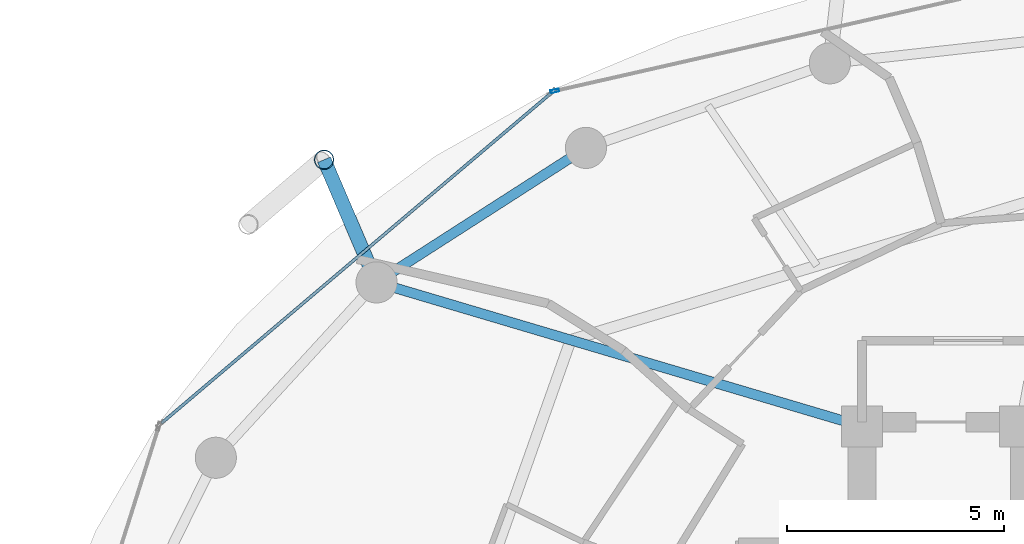
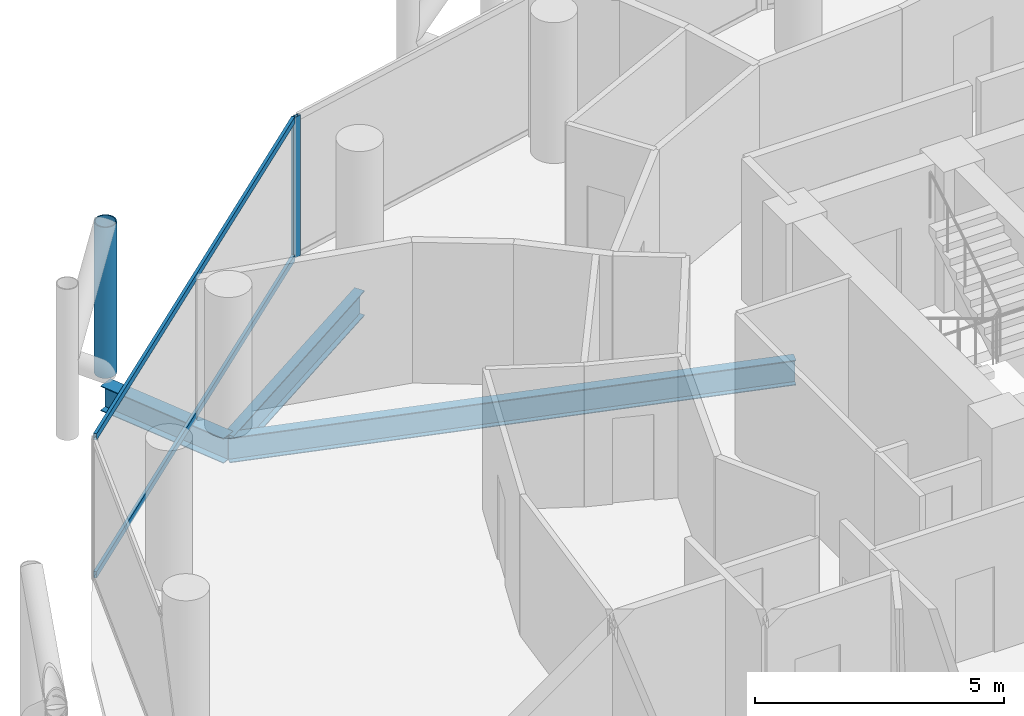
# One storey, part 14 of 26: 4 members, 3 beams, 2 elements without a shape of their own.
"""IFC4 building model written with IfcOpenShell, lengths in metres."""

import ifcopenshell
import ifcopenshell.guid

model = None  # the IFC model being written
_history = None  # IfcOwnerHistory: only IFC2X3 demands one
_inside = {}  # id of a spatial element -> (the spatial element, [elements in it])
_under = {}  # id of a project, library or spatial element -> (it, [spatial elements below it])
_declared = {}  # id of a project -> (the project, [libraries it declares])
_typed = {}  # id of a type object -> (the type object, [elements of that type])
_made_of = {}  # id of a material, layer set ... -> (it, [elements and type objects made of it])


def new_model(schema):
    """Start an empty IFC model of exactly this schema.

    Asked for "IFC4X3", IfcOpenShell would pick the latest addendum, in which some entities
    have other attributes; the version numbers below select the first issue.
    IFC2X3 requires an IfcOwnerHistory on every rooted entity: one is made here for all.
    """
    global model, _history
    if schema == "IFC4X3":
        model = ifcopenshell.file(schema_version=(4, 3, 0, 0))
    else:
        model = ifcopenshell.file(schema=schema)
    _inside.clear()
    _under.clear()
    _declared.clear()
    _typed.clear()
    _made_of.clear()
    _history = None
    if model.schema == "IFC2X3":
        org = make("IfcOrganization", Name="unknown")
        user = make(
            "IfcPersonAndOrganization",
            ThePerson=make("IfcPerson", FamilyName="unknown"),
            TheOrganization=org,
        )
        app = make(
            "IfcApplication",
            ApplicationDeveloper=org,
            Version="unknown",
            ApplicationFullName="unknown",
            ApplicationIdentifier="unknown",
        )
        _history = make(
            "IfcOwnerHistory",
            OwningUser=user,
            OwningApplication=app,
            ChangeAction="ADDED",
            CreationDate=0,
        )
    return model


def make(cls, **values):
    """One entity of the class cls with the attributes given. An attribute that is None is left unset."""
    return model.create_entity(
        cls, **{name: value for name, value in values.items() if value is not None}
    )


def rooted(cls, **values):
    """An entity with a GlobalId (a new one), such as an element, a storey or a relation."""
    return make(cls, GlobalId=ifcopenshell.guid.new(), OwnerHistory=_history, **values)


def si_unit(unit_type, name, prefix=None):
    """IfcSIUnit, for example si_unit("LENGTHUNIT", "METRE", prefix="MILLI")."""
    return make("IfcSIUnit", UnitType=unit_type, Prefix=prefix, Name=name)


def assignment(units):
    """IfcUnitAssignment: the units of a project."""
    return None if units is None else make("IfcUnitAssignment", Units=units)


def point(xyz):
    """IfcCartesianPoint."""
    return None if xyz is None else make("IfcCartesianPoint", Coordinates=xyz)


def direction(xyz):
    """IfcDirection."""
    return None if xyz is None else make("IfcDirection", DirectionRatios=xyz)


def frame(location, z_axis=None, x_axis=None):
    """IfcAxis2Placement3D, a coordinate frame: its origin and axes. An axis left out is left unset."""
    return make(
        "IfcAxis2Placement3D",
        Location=point(location),
        Axis=direction(z_axis),
        RefDirection=direction(x_axis),
    )


def frame_2d(location, x_axis=None):
    """IfcAxis2Placement2D, a coordinate frame in the plane: its origin and x axis."""
    return make(
        "IfcAxis2Placement2D", Location=point(location), RefDirection=direction(x_axis)
    )


def origin():
    """The frame at (0, 0, 0) with its axes left unset."""
    return frame((0.0, 0.0, 0.0))


def origin_2d():
    """The frame at (0, 0) in the plane with its x axis left unset."""
    return frame_2d((0.0, 0.0))


def place(relative_to, where):
    """IfcLocalPlacement: puts the frame where relative to a parent placement (None: the world)."""
    return make(
        "IfcLocalPlacement", PlacementRelTo=relative_to, RelativePlacement=where
    )


def context(
    kind, dimensions, precision=None, world=None, true_north=None, identifier=None
):
    """IfcGeometricRepresentationContext, for example the 3D "Model" context."""
    return make(
        "IfcGeometricRepresentationContext",
        ContextIdentifier=identifier,
        ContextType=kind,
        CoordinateSpaceDimension=dimensions,
        Precision=precision,
        WorldCoordinateSystem=world,
        TrueNorth=true_north,
    )


def subcontext(parent, identifier, kind, view, scale=None):
    """IfcGeometricRepresentationSubContext, for example "Body" below "Model"."""
    return make(
        "IfcGeometricRepresentationSubContext",
        ContextIdentifier=identifier,
        ContextType=kind,
        ParentContext=parent,
        TargetScale=scale,
        TargetView=view,
    )


def project(units=None, contexts=None):
    """IfcProject with its units and contexts."""
    return rooted(
        "IfcProject",
        Name="project",
        RepresentationContexts=contexts,
        UnitsInContext=assignment(units),
    )


def spatial(cls, under=None, at=None, **own):
    """A site, building, storey or space (cls), placed at a placement, below another one or the project."""
    s = rooted(cls, ObjectPlacement=at, **own)
    if under is not None:
        _under.setdefault(under.id(), (under, []))[1].append(s)
    return s


def profile(cls, at=None, kind="AREA", **sizes):
    """A parametric profile (cls). Its sizes go by their IFC names, for example OverallWidth=200.0."""
    return make(cls, ProfileType=kind, Position=at, **sizes)


def hollow_rectangle(**sizes):
    """IfcRectangleHollowProfileDef."""
    return profile("IfcRectangleHollowProfileDef", **sizes)


def hollow_circle(**sizes):
    """IfcCircleHollowProfileDef."""
    return profile("IfcCircleHollowProfileDef", **sizes)


def i_section(**sizes):
    """IfcIShapeProfileDef."""
    return profile("IfcIShapeProfileDef", **sizes)


def extrude(swept, where, along, depth):
    """IfcExtrudedAreaSolid: the profile swept, set in the frame where, extruded along a direction by depth."""
    return make(
        "IfcExtrudedAreaSolid",
        SweptArea=swept,
        Position=where,
        ExtrudedDirection=direction(along),
        Depth=depth,
    )


def shape(context_of_items, identifier, shape_type, items):
    """IfcShapeRepresentation: the items that make up one representation, for example the "Body"."""
    return make(
        "IfcShapeRepresentation",
        ContextOfItems=context_of_items,
        RepresentationIdentifier=identifier,
        RepresentationType=shape_type,
        Items=items,
    )


def material(Name=None, Category=None):
    """IfcMaterial."""
    return make("IfcMaterial", Name=Name, Category=Category)


def layer(
    of_material, thickness, ventilated=None, Name=None, Category=None, Priority=None
):
    """IfcMaterialLayer: one layer of a wall or slab, of a material (None: an air gap)."""
    return make(
        "IfcMaterialLayer",
        Material=of_material,
        LayerThickness=thickness,
        IsVentilated=ventilated,
        Name=Name,
        Category=Category,
        Priority=Priority,
    )


def layer_set(layers, Name=None):
    """IfcMaterialLayerSet."""
    return make("IfcMaterialLayerSet", MaterialLayers=layers, LayerSetName=Name)


def material_profile(
    of_material, cross_section, Name=None, Category=None, Priority=None
):
    """IfcMaterialProfile: a cross section and its material."""
    return make(
        "IfcMaterialProfile",
        Name=Name,
        Material=of_material,
        Profile=cross_section,
        Priority=Priority,
        Category=Category,
    )


def profile_set(profiles, Name=None, composite=None):
    """IfcMaterialProfileSet."""
    return make(
        "IfcMaterialProfileSet",
        Name=Name,
        MaterialProfiles=profiles,
        CompositeProfile=composite,
    )


def made_of(thing, what):
    """Note that an element or type object is made of a material, layer set ...; save() writes the relation."""
    if what is not None:
        _made_of.setdefault(what.id(), (what, []))[1].append(thing)
    return thing


def type_object(cls, material=None, **own):
    """A type object (cls), such as IfcWallType, which elements share."""
    return made_of(rooted(cls, **own), material)


def element(
    cls,
    number,
    at=None,
    inside=None,
    cuts=None,
    type_object=None,
    material=None,
    context=None,
    identifier="Body",
    shape_type=None,
    held_by="IfcProductDefinitionShape",
    body=None,
    shapes=None,
    **own,
):
    """One element of the class cls, such as IfcWall. Its Tag is "e" and its number.

    at: its placement. inside: the storey or other place that contains it. cuts: it is an
    opening in that element (IfcRelVoidsElement). A single representation is given by context,
    identifier, shape_type and body (its items); several are given by shapes. held_by: the class
    of the entity that holds the representations. save() writes the other relations.
    """
    e = rooted(cls, Tag="e%d" % number, ObjectPlacement=at, **own)
    if body is not None:
        shapes = [shape(context, identifier, shape_type, body)]
    if shapes is not None:
        e.Representation = make(held_by, Representations=shapes)
    if inside is not None:
        _inside.setdefault(inside.id(), (inside, []))[1].append(e)
    if cuts is not None:
        rooted(
            "IfcRelVoidsElement", RelatingBuildingElement=cuts, RelatedOpeningElement=e
        )
    if type_object is not None:
        _typed.setdefault(type_object.id(), (type_object, []))[1].append(e)
    return made_of(e, material)


def aggregate(whole, parts):
    """IfcRelAggregates: a whole, such as a stair, and the parts it consists of."""
    return rooted("IfcRelAggregates", RelatingObject=whole, RelatedObjects=parts)


def save(model, path):
    """Write the relations noted so far, then the file.

    IfcRelAggregates (storeys below a building ...), IfcRelContainedInSpatialStructure (elements
    in a storey), IfcRelDefinesByType, IfcRelAssociatesMaterial and IfcRelDeclares: one each for
    every whole, place, type object, material and project.
    """
    for whole, parts in _under.values():
        aggregate(whole, parts)
    for where, things in _inside.values():
        rooted(
            "IfcRelContainedInSpatialStructure",
            RelatedElements=things,
            RelatingStructure=where,
        )
    for kind, things in _typed.values():
        rooted("IfcRelDefinesByType", RelatedObjects=things, RelatingType=kind)
    for what, things in _made_of.values():
        rooted("IfcRelAssociatesMaterial", RelatedObjects=things, RelatingMaterial=what)
    for by, libraries in _declared.values():
        rooted("IfcRelDeclares", RelatingContext=by, RelatedDefinitions=libraries)
    model.write(path)


model = new_model("IFC4")

# Units and contexts
model_context = context("Model", 3, precision=1e-05, world=origin(), true_north=direction((0.0, 1.0)))
body_context = subcontext(model_context, "Body", "Model", "MODEL_VIEW")
ifc_project = project(units=[si_unit("LENGTHUNIT", "METRE"), si_unit("AREAUNIT", "SQUARE_METRE"), si_unit("VOLUMEUNIT", "CUBIC_METRE"), si_unit("PLANEANGLEUNIT", "RADIAN"), si_unit("MASSUNIT", "GRAM", prefix="KILO")], contexts=[model_context])

# Site, building, storey
site_placement = place(None, origin())
site = spatial("IfcSite", under=ifc_project, at=site_placement, CompositionType="ELEMENT")
building_placement = place(site_placement, origin())
building = spatial("IfcBuilding", under=site, at=building_placement, Name="Nuhasar Tower", CompositionType="ELEMENT")
storey_placement = place(building_placement, frame((0.0, 0.0, 125.64990234375)))
storey = spatial("IfcBuildingStorey", under=building, at=storey_placement, Name="L29", CompositionType="ELEMENT", Elevation=125.64990234375)

# Beams
ifc_material_1 = material(Name="Steel S355", Category="steel")
ifc_material_profile_1 = material_profile(ifc_material_1, i_section(OverallWidth=0.22900390625, OverallDepth=0.612060546875, WebThickness=0.011962890625, FlangeThickness=0.01953125, at=origin_2d()), Name="W24X84")
ifc_profile_set_1 = profile_set([ifc_material_profile_1], Name="Steel S355")
beam_type_1 = type_object("IfcBeamType", Name="BM-RAD-W24X84", PredefinedType="BEAM", material=ifc_profile_set_1)
beam_1_placement = place(storey_placement, frame((33.699951171875, 37.300048828125, -0.555908203125), z_axis=(-0.958746492721, 0.284262489076, 0.0), x_axis=(-0.284262489076, -0.958746492721, 0.0)))
element("IfcBeam", 1, at=beam_1_placement, inside=storey, type_object=beam_type_1, Name="L29 Radial Floor Girder 07", PredefinedType="BEAM", context=body_context, shape_type="SweptSolid", body=[
    extrude(i_section(OverallWidth=0.22900390625, OverallDepth=0.612060546875, WebThickness=0.011962890625, FlangeThickness=0.01953125, at=origin_2d()), origin(), (0.0, 0.0, 1.0), 11.693359375),
])
ifc_material_profile_2 = material_profile(ifc_material_1, i_section(OverallWidth=0.22998046875, OverallDepth=0.616943359375, WebThickness=0.01318359375, FlangeThickness=0.022216796875, at=origin_2d()), Name="W24X94")
ifc_profile_set_2 = profile_set([ifc_material_profile_2], Name="Steel S355")
beam_type_2 = type_object("IfcBeamType", Name="BM-RING-W24X94", PredefinedType="SPANDREL", material=ifc_profile_set_2)
beam_2_placement = place(storey_placement, frame((27.324951171875, 43.73095703125, -0.557861328125), z_axis=(-0.841327486207, -0.540525726448, 0.0), x_axis=(0.540525726448, -0.841327486207, 0.0)))
element("IfcBeam", 2, at=beam_2_placement, inside=storey, type_object=beam_type_2, Name="L29 Perimeter Ring Spandrel 09", PredefinedType="SPANDREL", context=body_context, shape_type="SweptSolid", body=[
    extrude(i_section(OverallWidth=0.22998046875, OverallDepth=0.616943359375, WebThickness=0.01318359375, FlangeThickness=0.022216796875, at=origin_2d()), origin(), (0.0, 0.0, 1.0), 5.748046875),
])
ifc_material_profile_3 = material_profile(ifc_material_1, i_section(OverallWidth=0.323974609375, OverallDepth=0.611083984375, WebThickness=0.0126953125, FlangeThickness=0.01904296875, at=origin_2d()), Name="W24X104")
ifc_profile_set_3 = profile_set([ifc_material_profile_3], Name="Steel S355")
beam_type_3 = type_object("IfcBeamType", Name="BM-TIE-W24X104", PredefinedType="BEAM", material=ifc_profile_set_3)
beam_3_placement = place(storey_placement, frame((22.489013671875, 40.6240234375, -0.554931640625), z_axis=(-0.39330721304, 0.919407111225, 0.0), x_axis=(-0.919407111225, -0.39330721304, 0.0)))
element("IfcBeam", 3, at=beam_3_placement, inside=storey, type_object=beam_type_3, Name="L29 Exoskeleton Node Tie Beam 05", PredefinedType="BEAM", context=body_context, shape_type="SweptSolid", body=[
    extrude(i_section(OverallWidth=0.323974609375, OverallDepth=0.611083984375, WebThickness=0.0126953125, FlangeThickness=0.01904296875, at=origin_2d()), origin(), (0.0, 0.0, 1.0), 3.081298828125),
])

# Curtain wall, member
ifc_material_2 = material(Name="Aluminium 6063-T6", Category="aluminium")
ifc_layer = layer(ifc_material_2, 0.199951171875)
ifc_layer_set = layer_set([ifc_layer], Name="Aluminium 6063-T6")
curtain_wall_type = type_object("IfcCurtainWallType", Name="CW-Z2-HTL", PredefinedType="NOTDEFINED", material=ifc_layer_set)
curtain_wall_1_placement = place(storey_placement, origin())
curtain_wall_1 = element("IfcCurtainWall", 4, at=curtain_wall_1_placement, inside=storey, type_object=curtain_wall_type, Name="L29 Unitised Curtain Wall 04", PredefinedType="NOTDEFINED")
ifc_material_profile_4 = material_profile(ifc_material_2, hollow_rectangle(XDim=0.070068359375, YDim=0.199951171875, WallThickness=0.0048828125, at=origin_2d()), Name="CWM-3")
ifc_profile_set_4 = profile_set([ifc_material_profile_4], Name="Aluminium 6063-T6")
member_type_1 = type_object("IfcMemberType", Name="CW-MUL-S3", PredefinedType="MULLION", material=ifc_profile_set_4)
member_1_placement = place(storey_placement, frame((26.604248046875, 45.045654296875, 0.0), z_axis=(0.0, 0.0, 1.0), x_axis=(0.22139729566, -0.975183694221, 0.0)))
member_1 = element("IfcMember", 5, at=member_1_placement, type_object=member_type_1, Name="CW-Z2 mullion 2", PredefinedType="MULLION", context=body_context, shape_type="SweptSolid", body=[
    extrude(hollow_rectangle(XDim=0.070068359375, YDim=0.199951171875, WallThickness=0.0048828125, at=origin_2d()), origin(), (0.0, 0.0, 1.0), 3.4501953125),
])
aggregate(curtain_wall_1, [member_1])

# Curtain wall, members
curtain_wall_2_placement = place(storey_placement, origin())
curtain_wall_2 = element("IfcCurtainWall", 6, at=curtain_wall_2_placement, inside=storey, type_object=curtain_wall_type, Name="L29 Unitised Curtain Wall 05", PredefinedType="NOTDEFINED")
ifc_material_profile_5 = material_profile(ifc_material_2, hollow_rectangle(XDim=0.070068359375, YDim=0.159912109375, WallThickness=0.00439453125, at=origin_2d()), Name="CWT-3")
ifc_profile_set_5 = profile_set([ifc_material_profile_5], Name="Aluminium 6063-T6")
member_type_2 = type_object("IfcMemberType", Name="CW-TRN-S3", PredefinedType="USERDEFINED", material=ifc_profile_set_5)
member_2_placement = place(storey_placement, frame((26.5166015625, 44.99267578125, 0.03515625), z_axis=(-0.763023915269, -0.646370253592, 0.0), x_axis=(0.646370253592, -0.763023915269, 0.0)))
member_2 = element("IfcMember", 7, at=member_2_placement, type_object=member_type_2, Name="CW-Z2 transom 1.1", ObjectType="TRANSOM", PredefinedType="USERDEFINED", context=body_context, shape_type="SweptSolid", body=[
    extrude(hollow_rectangle(XDim=0.070068359375, YDim=0.159912109375, WallThickness=0.00439453125, at=origin_2d()), origin(), (0.0, 0.0, 1.0), 11.784912109375),
])
member_3_placement = place(storey_placement, frame((26.5166015625, 44.99267578125, 3.4150390625), z_axis=(-0.763023915269, -0.646370253592, 0.0), x_axis=(0.646370253592, -0.763023915269, 0.0)))
member_3 = element("IfcMember", 8, at=member_3_placement, type_object=member_type_2, Name="CW-Z2 transom 1.2", ObjectType="TRANSOM", PredefinedType="USERDEFINED", context=body_context, shape_type="SweptSolid", body=[
    extrude(hollow_rectangle(XDim=0.070068359375, YDim=0.159912109375, WallThickness=0.00439453125, at=origin_2d()), origin(), (0.0, 0.0, 1.0), 11.784912109375),
])
aggregate(curtain_wall_2, [member_2, member_3])

# Member
ifc_material_3 = material(Name="Steel S460", Category="steel")
ifc_material_profile_6 = material_profile(ifc_material_3, hollow_circle(Radius=0.228515625, WallThickness=0.022216796875, at=origin_2d()), Name="HSS457X22.2")
ifc_profile_set_6 = profile_set([ifc_material_profile_6], Name="Steel S460")
member_type_3 = type_object("IfcMemberType", Name="EXO-BRONZE-457", PredefinedType="BRACE", material=ifc_profile_set_6)
member_4_placement = place(storey_placement, frame((21.277099609375, 43.45703125, 0.0), z_axis=(0.0, 0.0, 1.0), x_axis=(1.0, 0.0, 0.0)))
element("IfcMember", 9, at=member_4_placement, inside=storey, type_object=member_type_3, Name="L29 Exoskeleton Chord Column EC-05A", PredefinedType="BRACE", context=body_context, shape_type="SweptSolid", body=[
    extrude(hollow_circle(Radius=0.228515625, WallThickness=0.022216796875, at=origin_2d()), origin(), (0.0, 0.0, 1.0), 3.7001953125),
])

save(model, "model.ifc")
